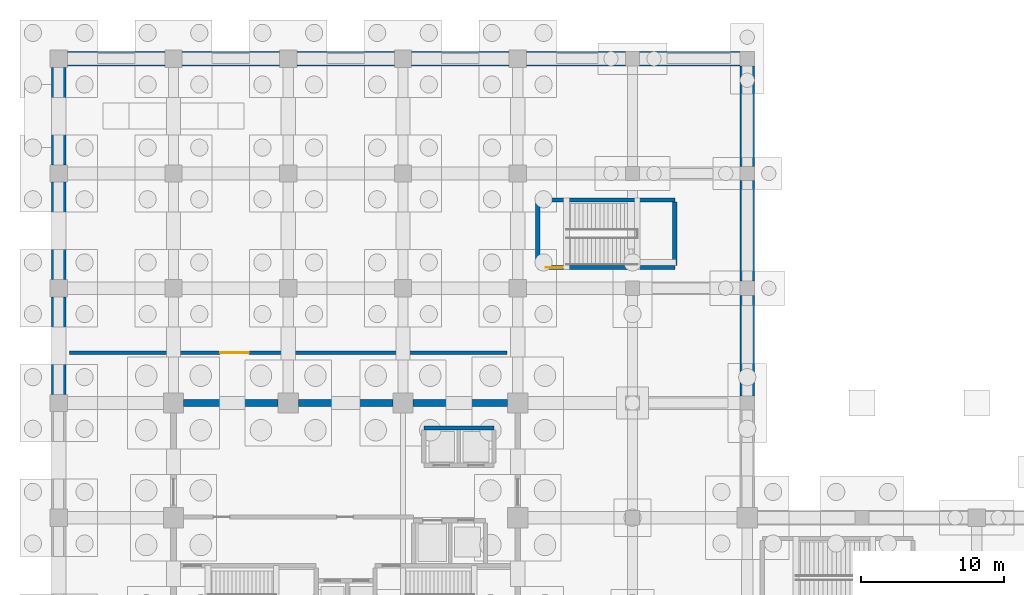
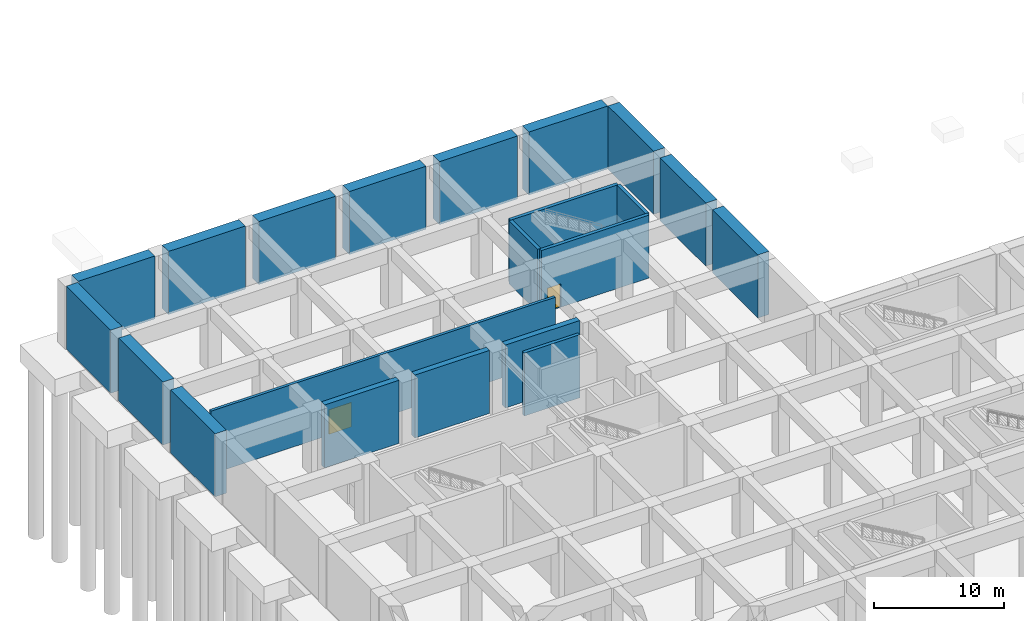
# One storey, part 18 of 26: 21 walls, 2 doors, 2 openings.
"""IFC4 building model written with IfcOpenShell, lengths in metres."""

from ifc_helpers import new_model, si_unit, direction, frame, frame_2d, origin, place, context, subcontext, project, spatial, rectangle, extrude, material, layer, layer_set, type_object, element, fill, save


model = new_model("IFC4")

# Units and contexts
model_context = context("Model", 3, precision=1e-05, world=origin(), true_north=direction((0.0, 1.0)))
body_context = subcontext(model_context, "Body", "Model", "MODEL_VIEW")
ifc_project = project(units=[si_unit("LENGTHUNIT", "METRE"), si_unit("AREAUNIT", "SQUARE_METRE"), si_unit("VOLUMEUNIT", "CUBIC_METRE"), si_unit("PLANEANGLEUNIT", "RADIAN"), si_unit("MASSUNIT", "GRAM", prefix="KILO")], contexts=[model_context])

# Site, building, storey
site_placement = place(None, origin())
site = spatial("IfcSite", under=ifc_project, at=site_placement, CompositionType="ELEMENT")
building_placement = place(site_placement, origin())
building = spatial("IfcBuilding", under=site, at=building_placement, Name="Varnela Railside Interchange", CompositionType="ELEMENT")
storey_placement = place(building_placement, frame((0.0, 0.0, -12.60009765625)))
storey = spatial("IfcBuildingStorey", under=building, at=storey_placement, Name="B2", CompositionType="ELEMENT", Elevation=-12.60009765625)

# Walls
ifc_material_1 = material(Name="Concrete C50", Category="concrete")
ifc_layer_1 = layer(ifc_material_1, 0.5)
ifc_layer_set_1 = layer_set([ifc_layer_1], Name="Concrete C50")
wall_type_1 = type_object("IfcWallType", Name="Core Primary Shear Wall SW-01", PredefinedType="SHEAR", material=ifc_layer_set_1)
for number, where, z_axis, x_axis, name in (
    (1, (12.699951171875, 70.0, 0.0), (0.0, 0.0, 1.0), (1.0, 0.0, 0.0), "Core Primary Shear Wall SW-01 (B2) (WL-0015)"),
    (2, (20.699951171875, 70.0, 0.0), (0.0, 0.0, 1.0), (1.0, 0.0, 0.0), "Core Primary Shear Wall SW-01 (B2) (WL-0016)"),
    (3, (28.699951171875, 70.0, 0.0), (0.0, 0.0, 1.0), (1.0, 0.0, 0.0), "Core Primary Shear Wall SW-01 (B2) (WL-0017)"),
):
    element("IfcWall", number, at=place(storey_placement, frame(where, z_axis=z_axis, x_axis=x_axis)), inside=storey, type_object=wall_type_1, Name=name, PredefinedType="SHEAR", context=body_context, shape_type="SweptSolid", body=[
        extrude(rectangle(XDim=6.60009765625, YDim=0.5, at=frame_2d((3.300048828125, 0.0))), origin(), (0.0, 0.0, 1.0), 5.900146484375),
    ])
ifc_layer_2 = layer(ifc_material_1, 1.0)
ifc_layer_set_2 = layer_set([ifc_layer_2], Name="Concrete C50")
wall_type_2 = type_object("IfcWallType", Name="Perimeter Diaphragm Wall DW-01", PredefinedType="USERDEFINED", material=ifc_layer_set_2)
for number, where, z_axis, x_axis, name in (
    (4, (52.0, 70.5, 0.0), (0.0, 0.0, 1.0), (0.0, 1.0, 0.0), "Perimeter Diaphragm Wall DW-01 (B2) (WL-0053)"),
    (5, (52.0, 78.5, 0.0), (0.0, 0.0, 1.0), (0.0, 1.0, 0.0), "Perimeter Diaphragm Wall DW-01 (B2) (WL-0054)"),
    (6, (52.0, 86.5, 0.0), (0.0, 0.0, 1.0), (0.0, 1.0, 0.0), "Perimeter Diaphragm Wall DW-01 (B2) (WL-0055)"),
    (7, (51.5, 94.0, 0.0), (0.0, 0.0, 1.0), (-1.0, 0.0, 0.0), "Perimeter Diaphragm Wall DW-01 (B2) (WL-0076)"),
):
    element("IfcWall", number, at=place(storey_placement, frame(where, z_axis=z_axis, x_axis=x_axis)), inside=storey, type_object=wall_type_2, Name=name, ObjectType="RETAININGWALL", PredefinedType="USERDEFINED", context=body_context, shape_type="SweptSolid", body=[
        extrude(rectangle(XDim=7.0, YDim=1.0, at=frame_2d((3.5, 0.0))), origin(), (0.0, 0.0, 1.0), 5.900146484375),
    ])
wall_1_placement = place(storey_placement, frame((43.5, 94.0, 0.0), z_axis=(0.0, 0.0, 1.0), x_axis=(-1.0, 0.0, 0.0)))
element("IfcWall", 8, at=wall_1_placement, inside=storey, type_object=wall_type_2, Name="Perimeter Diaphragm Wall DW-01 (B2) (WL-0077)", ObjectType="RETAININGWALL", PredefinedType="USERDEFINED", context=body_context, shape_type="SweptSolid", body=[
    extrude(rectangle(XDim=6.89990234375, YDim=1.0, at=frame_2d((3.449951171875, 0.0))), origin(), (0.0, 0.0, 1.0), 5.900146484375),
])
for number, where, z_axis, x_axis, name in (
    (9, (35.39990234375, 94.0, 0.0), (0.0, 0.0, 1.0), (-1.0, 0.0, 0.0), "Perimeter Diaphragm Wall DW-01 (B2) (WL-0078)"),
    (10, (27.39990234375, 94.0, 0.0), (0.0, 0.0, 1.0), (-1.0, 0.0, 0.0), "Perimeter Diaphragm Wall DW-01 (B2) (WL-0079)"),
    (11, (19.39990234375, 94.0, 0.0), (0.0, 0.0, 1.0), (-1.0, 0.0, 0.0), "Perimeter Diaphragm Wall DW-01 (B2) (WL-0080)"),
    (12, (11.39990234375, 94.0, 0.0), (0.0, 0.0, 1.0), (-1.0, 0.0, 0.0), "Perimeter Diaphragm Wall DW-01 (B2) (WL-0081)"),
    (13, (4.0, 93.39990234375, 0.0), (0.0, 0.0, 1.0), (0.0, -1.0, 0.0), "Perimeter Diaphragm Wall DW-01 (B2) (WL-0082)"),
    (14, (4.0, 85.39990234375, 0.0), (0.0, 0.0, 1.0), (0.0, -1.0, 0.0), "Perimeter Diaphragm Wall DW-01 (B2) (WL-0083)"),
    (15, (4.0, 77.39990234375, 0.0), (0.0, 0.0, 1.0), (0.0, -1.0, 0.0), "Perimeter Diaphragm Wall DW-01 (B2) (WL-0084)"),
):
    element("IfcWall", number, at=place(storey_placement, frame(where, z_axis=z_axis, x_axis=x_axis)), inside=storey, type_object=wall_type_2, Name=name, ObjectType="RETAININGWALL", PredefinedType="USERDEFINED", context=body_context, shape_type="SweptSolid", body=[
        extrude(rectangle(XDim=6.7998046875, YDim=1.0, at=frame_2d((3.39990234375, 0.0))), origin(), (0.0, 0.0, 1.0), 5.900146484375),
    ])
ifc_layer_3 = layer(ifc_material_1, 0.300048828125)
ifc_layer_set_3 = layer_set([ifc_layer_3], Name="Concrete C50")
wall_type_3 = type_object("IfcWallType", Name="Stair & Lift Shaft Wall SW-03", PredefinedType="SHEAR", material=ifc_layer_set_3)
wall_2_placement = place(storey_placement, frame((29.449951171875, 68.25, 0.0), z_axis=(0.0, 0.0, 1.0), x_axis=(1.0, 0.0, 0.0)))
element("IfcWall", 16, at=wall_2_placement, inside=storey, type_object=wall_type_3, Name="Stair & Lift Shaft Wall SW-03 (B2) (WL-0012)", PredefinedType="SHEAR", context=body_context, shape_type="SweptSolid", body=[
    extrude(rectangle(XDim=4.900146484375, YDim=0.300048828125, at=frame_2d((2.4501953125, 0.0))), origin(), (0.0, 0.0, 1.0), 5.900146484375),
])
wall_3_placement = place(storey_placement, frame((37.39990234375, 84.14990234375, 0.0), z_axis=(0.0, 0.0, 1.0), x_axis=(1.0, 0.0, 0.0)))
element("IfcWall", 17, at=wall_3_placement, inside=storey, type_object=wall_type_3, Name="Stair & Lift Shaft Wall SW-03 (B2) (WL-0150)", PredefinedType="SHEAR", context=body_context, shape_type="SweptSolid", body=[
    extrude(rectangle(XDim=9.550048828125, YDim=0.300048828125, at=frame_2d((4.77490234375, 0.0))), origin(), (0.0, 0.0, 1.0), 5.900146484375),
])

# Wall, opening, door
wall_4_placement = place(storey_placement, frame((37.39990234375, 79.449951171875, 0.0), z_axis=(0.0, 0.0, 1.0), x_axis=(1.0, 0.0, 0.0)))
wall_4 = element("IfcWall", 18, at=wall_4_placement, inside=storey, type_object=wall_type_3, Name="Stair & Lift Shaft Wall SW-03 (B2) (WL-0151)", PredefinedType="SHEAR", context=body_context, shape_type="SweptSolid", body=[
    extrude(rectangle(XDim=9.550048828125, YDim=0.300048828125, at=frame_2d((4.77490234375, 0.0))), origin(), (0.0, 0.0, 1.0), 5.900146484375),
])
opening_1_placement = place(wall_4_placement, frame((0.550048828125, 0.0, 0.0)))
opening_1 = element("IfcOpeningElement", 19, at=opening_1_placement, cuts=wall_4, Name="Opening D-118", PredefinedType="OPENING", context=body_context, shape_type="SweptSolid", body=[
    extrude(rectangle(XDim=1.199951171875, YDim=2.199951171875, at=frame_2d((0.60009765625, 1.10009765625))), frame((0.0, 0.159912109375, 0.0), z_axis=(0.0, -1.0, 0.0), x_axis=(1.0, 0.0, 0.0)), (0.0, 0.0, 1.0), 0.320068359375),
])
ifc_material_2 = material(Name="Steel AR 350 (350 MPa)", Category="steel")
door_type_1 = type_object("IfcDoorType", Name="DR-SGL-1200-FD90", OperationType="NOTDEFINED", PredefinedType="DOOR", material=ifc_material_2)
door_1_placement = place(opening_1_placement, origin())
door_1 = element("IfcDoor", 20, at=door_1_placement, inside=storey, type_object=door_type_1, Name="Door D-118", OperationType="SINGLE_SWING_RIGHT", OverallHeight=2.199951171875, OverallWidth=1.199951171875, PredefinedType="DOOR", context=body_context, shape_type="SweptSolid", body=[
    extrude(rectangle(XDim=1.199951171875, YDim=2.199951171875, at=frame_2d((0.60009765625, 1.10009765625))), frame((0.0, 0.02490234375, 0.0), z_axis=(0.0, -1.0, 0.0), x_axis=(1.0, 0.0, 0.0)), (0.0, 0.0, 1.0), 0.050048828125),
])
fill(opening_1, door_1)

# Walls
for number, where, z_axis, x_axis, name in (
    (21, (37.39990234375, 79.60009765625, 0.0), (0.0, 0.0, 1.0), (0.0, 1.0, 0.0), "Stair & Lift Shaft Wall SW-03 (B2) (WL-0152)"),
    (22, (46.949951171875, 79.60009765625, 0.0), (0.0, 0.0, 1.0), (0.0, 1.0, 0.0), "Stair & Lift Shaft Wall SW-03 (B2) (WL-0149)"),
):
    element("IfcWall", number, at=place(storey_placement, frame(where, z_axis=z_axis, x_axis=x_axis)), inside=storey, type_object=wall_type_3, Name=name, PredefinedType="SHEAR", context=body_context, shape_type="SweptSolid", body=[
        extrude(rectangle(XDim=4.39990234375, YDim=0.300048828125, at=frame_2d((2.199951171875, 0.0))), origin(), (0.0, 0.0, 1.0), 5.900146484375),
    ])

# Wall, opening, door
ifc_material_3 = material(Name="Concrete C40", Category="concrete")
ifc_layer_4 = layer(ifc_material_3, 0.25)
ifc_layer_set_4 = layer_set([ifc_layer_4], Name="Concrete C40")
wall_type_4 = type_object("IfcWallType", Name="Substation Fire Wall EI120 FW-03", PredefinedType="SOLIDWALL", material=ifc_layer_set_4)
wall_5_placement = place(storey_placement, frame((4.75, 73.5, 0.0), z_axis=(0.0, 0.0, 1.0), x_axis=(1.0, 0.0, 0.0)))
wall_5 = element("IfcWall", 23, at=wall_5_placement, inside=storey, type_object=wall_type_4, Name="Substation Fire Wall EI120 FW-03 (B2) (WL-0092)", PredefinedType="SOLIDWALL", context=body_context, shape_type="SweptSolid", body=[
    extrude(rectangle(XDim=30.5, YDim=0.25, at=frame_2d((15.25, 0.0))), origin(), (0.0, 0.0, 1.0), 5.900146484375),
])
opening_2_placement = place(wall_5_placement, frame((10.5, 0.0, 0.0)))
opening_2 = element("IfcOpeningElement", 24, at=opening_2_placement, cuts=wall_5, Name="Opening D-119", PredefinedType="OPENING", context=body_context, shape_type="SweptSolid", body=[
    extrude(rectangle(XDim=2.0, YDim=2.300048828125, at=frame_2d((1.0, 1.14990234375))), frame((0.0, 0.135009765625, 0.0), z_axis=(0.0, -1.0, 0.0), x_axis=(1.0, 0.0, 0.0)), (0.0, 0.0, 1.0), 0.27001953125),
])
door_type_2 = type_object("IfcDoorType", Name="DR-DBL-2000-FD60", OperationType="DOUBLE_DOOR_SINGLE_SWING", PredefinedType="DOOR", material=ifc_material_2)
door_2_placement = place(opening_2_placement, origin())
door_2 = element("IfcDoor", 25, at=door_2_placement, inside=storey, type_object=door_type_2, Name="Door D-119", OperationType="DOUBLE_DOOR_SINGLE_SWING", OverallHeight=2.300048828125, OverallWidth=2.0, PredefinedType="DOOR", context=body_context, shape_type="SweptSolid", body=[
    extrude(rectangle(XDim=2.0, YDim=2.300048828125, at=frame_2d((1.0, 1.14990234375))), frame((0.0, 0.02490234375, 0.0), z_axis=(0.0, -1.0, 0.0), x_axis=(1.0, 0.0, 0.0)), (0.0, 0.0, 1.0), 0.050048828125),
])
fill(opening_2, door_2)

save(model, "model.ifc")
